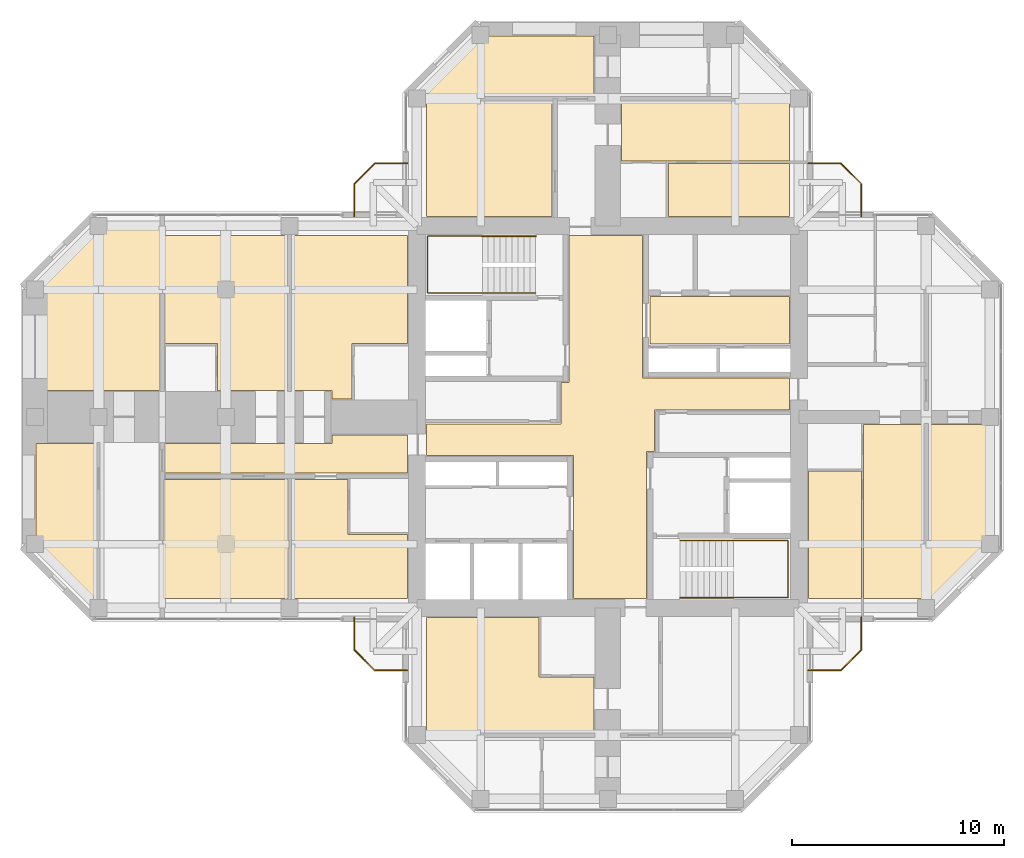
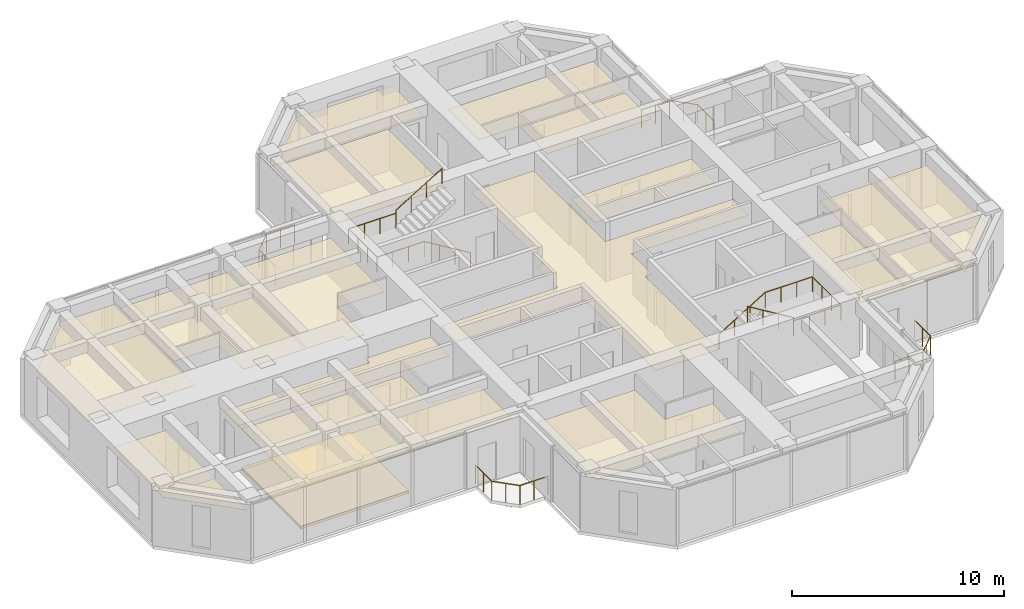
# One storey, part 13 of 13: 18 coverings, 8 railings.
"""IFC4 building model written with IfcOpenShell, lengths in metres."""

import ifcopenshell
import ifcopenshell.guid

model = None  # the IFC model being written
_history = None  # IfcOwnerHistory: only IFC2X3 demands one
_inside = {}  # id of a spatial element -> (the spatial element, [elements in it])
_under = {}  # id of a project, library or spatial element -> (it, [spatial elements below it])
_declared = {}  # id of a project -> (the project, [libraries it declares])
_typed = {}  # id of a type object -> (the type object, [elements of that type])
_made_of = {}  # id of a material, layer set ... -> (it, [elements and type objects made of it])


def new_model(schema):
    """Start an empty IFC model of exactly this schema.

    Asked for "IFC4X3", IfcOpenShell would pick the latest addendum, in which some entities
    have other attributes; the version numbers below select the first issue.
    IFC2X3 requires an IfcOwnerHistory on every rooted entity: one is made here for all.
    """
    global model, _history
    if schema == "IFC4X3":
        model = ifcopenshell.file(schema_version=(4, 3, 0, 0))
    else:
        model = ifcopenshell.file(schema=schema)
    _inside.clear()
    _under.clear()
    _declared.clear()
    _typed.clear()
    _made_of.clear()
    _history = None
    if model.schema == "IFC2X3":
        org = make("IfcOrganization", Name="unknown")
        user = make(
            "IfcPersonAndOrganization",
            ThePerson=make("IfcPerson", FamilyName="unknown"),
            TheOrganization=org,
        )
        app = make(
            "IfcApplication",
            ApplicationDeveloper=org,
            Version="unknown",
            ApplicationFullName="unknown",
            ApplicationIdentifier="unknown",
        )
        _history = make(
            "IfcOwnerHistory",
            OwningUser=user,
            OwningApplication=app,
            ChangeAction="ADDED",
            CreationDate=0,
        )
    return model


def make(cls, **values):
    """One entity of the class cls with the attributes given. An attribute that is None is left unset."""
    return model.create_entity(
        cls, **{name: value for name, value in values.items() if value is not None}
    )


def rooted(cls, **values):
    """An entity with a GlobalId (a new one), such as an element, a storey or a relation."""
    return make(cls, GlobalId=ifcopenshell.guid.new(), OwnerHistory=_history, **values)


def si_unit(unit_type, name, prefix=None):
    """IfcSIUnit, for example si_unit("LENGTHUNIT", "METRE", prefix="MILLI")."""
    return make("IfcSIUnit", UnitType=unit_type, Prefix=prefix, Name=name)


def assignment(units):
    """IfcUnitAssignment: the units of a project."""
    return None if units is None else make("IfcUnitAssignment", Units=units)


def point(xyz):
    """IfcCartesianPoint."""
    return None if xyz is None else make("IfcCartesianPoint", Coordinates=xyz)


def direction(xyz):
    """IfcDirection."""
    return None if xyz is None else make("IfcDirection", DirectionRatios=xyz)


def frame(location, z_axis=None, x_axis=None):
    """IfcAxis2Placement3D, a coordinate frame: its origin and axes. An axis left out is left unset."""
    return make(
        "IfcAxis2Placement3D",
        Location=point(location),
        Axis=direction(z_axis),
        RefDirection=direction(x_axis),
    )


def frame_2d(location, x_axis=None):
    """IfcAxis2Placement2D, a coordinate frame in the plane: its origin and x axis."""
    return make(
        "IfcAxis2Placement2D", Location=point(location), RefDirection=direction(x_axis)
    )


def origin():
    """The frame at (0, 0, 0) with its axes left unset."""
    return frame((0.0, 0.0, 0.0))


def origin_2d():
    """The frame at (0, 0) in the plane with its x axis left unset."""
    return frame_2d((0.0, 0.0))


def place(relative_to, where):
    """IfcLocalPlacement: puts the frame where relative to a parent placement (None: the world)."""
    return make(
        "IfcLocalPlacement", PlacementRelTo=relative_to, RelativePlacement=where
    )


def context(
    kind, dimensions, precision=None, world=None, true_north=None, identifier=None
):
    """IfcGeometricRepresentationContext, for example the 3D "Model" context."""
    return make(
        "IfcGeometricRepresentationContext",
        ContextIdentifier=identifier,
        ContextType=kind,
        CoordinateSpaceDimension=dimensions,
        Precision=precision,
        WorldCoordinateSystem=world,
        TrueNorth=true_north,
    )


def subcontext(parent, identifier, kind, view, scale=None):
    """IfcGeometricRepresentationSubContext, for example "Body" below "Model"."""
    return make(
        "IfcGeometricRepresentationSubContext",
        ContextIdentifier=identifier,
        ContextType=kind,
        ParentContext=parent,
        TargetScale=scale,
        TargetView=view,
    )


def project(units=None, contexts=None):
    """IfcProject with its units and contexts."""
    return rooted(
        "IfcProject",
        Name="project",
        RepresentationContexts=contexts,
        UnitsInContext=assignment(units),
    )


def spatial(cls, under=None, at=None, **own):
    """A site, building, storey or space (cls), placed at a placement, below another one or the project."""
    s = rooted(cls, ObjectPlacement=at, **own)
    if under is not None:
        _under.setdefault(under.id(), (under, []))[1].append(s)
    return s


def polyline(points):
    """IfcPolyline through the points."""
    return make("IfcPolyline", Points=[point(p) for p in points])


def profile(cls, at=None, kind="AREA", **sizes):
    """A parametric profile (cls). Its sizes go by their IFC names, for example OverallWidth=200.0."""
    return make(cls, ProfileType=kind, Position=at, **sizes)


def circle(**sizes):
    """IfcCircleProfileDef."""
    return profile("IfcCircleProfileDef", **sizes)


def outline(outer, holes=None, kind="AREA"):
    """IfcArbitraryClosedProfileDef: a profile drawn as a closed curve; with holes, ...WithVoids."""
    if holes is None:
        return make("IfcArbitraryClosedProfileDef", ProfileType=kind, OuterCurve=outer)
    return make(
        "IfcArbitraryProfileDefWithVoids",
        ProfileType=kind,
        OuterCurve=outer,
        InnerCurves=holes,
    )


def extrude(swept, where, along, depth):
    """IfcExtrudedAreaSolid: the profile swept, set in the frame where, extruded along a direction by depth."""
    return make(
        "IfcExtrudedAreaSolid",
        SweptArea=swept,
        Position=where,
        ExtrudedDirection=direction(along),
        Depth=depth,
    )


def shape(context_of_items, identifier, shape_type, items):
    """IfcShapeRepresentation: the items that make up one representation, for example the "Body"."""
    return make(
        "IfcShapeRepresentation",
        ContextOfItems=context_of_items,
        RepresentationIdentifier=identifier,
        RepresentationType=shape_type,
        Items=items,
    )


def material(Name=None, Category=None):
    """IfcMaterial."""
    return make("IfcMaterial", Name=Name, Category=Category)


def layer(
    of_material, thickness, ventilated=None, Name=None, Category=None, Priority=None
):
    """IfcMaterialLayer: one layer of a wall or slab, of a material (None: an air gap)."""
    return make(
        "IfcMaterialLayer",
        Material=of_material,
        LayerThickness=thickness,
        IsVentilated=ventilated,
        Name=Name,
        Category=Category,
        Priority=Priority,
    )


def layer_set(layers, Name=None):
    """IfcMaterialLayerSet."""
    return make("IfcMaterialLayerSet", MaterialLayers=layers, LayerSetName=Name)


def constituent(of_material, Name=None, Category=None, fraction=None):
    """IfcMaterialConstituent: one of the materials an element consists of."""
    return make(
        "IfcMaterialConstituent",
        Name=Name,
        Material=of_material,
        Fraction=fraction,
        Category=Category,
    )


def constituent_set(constituents=None, Name=None):
    """IfcMaterialConstituentSet."""
    return make(
        "IfcMaterialConstituentSet", Name=Name, MaterialConstituents=constituents
    )


def made_of(thing, what):
    """Note that an element or type object is made of a material, layer set ...; save() writes the relation."""
    if what is not None:
        _made_of.setdefault(what.id(), (what, []))[1].append(thing)
    return thing


def type_object(cls, material=None, **own):
    """A type object (cls), such as IfcWallType, which elements share."""
    return made_of(rooted(cls, **own), material)


def element(
    cls,
    number,
    at=None,
    inside=None,
    cuts=None,
    type_object=None,
    material=None,
    context=None,
    identifier="Body",
    shape_type=None,
    held_by="IfcProductDefinitionShape",
    body=None,
    shapes=None,
    **own,
):
    """One element of the class cls, such as IfcWall. Its Tag is "e" and its number.

    at: its placement. inside: the storey or other place that contains it. cuts: it is an
    opening in that element (IfcRelVoidsElement). A single representation is given by context,
    identifier, shape_type and body (its items); several are given by shapes. held_by: the class
    of the entity that holds the representations. save() writes the other relations.
    """
    e = rooted(cls, Tag="e%d" % number, ObjectPlacement=at, **own)
    if body is not None:
        shapes = [shape(context, identifier, shape_type, body)]
    if shapes is not None:
        e.Representation = make(held_by, Representations=shapes)
    if inside is not None:
        _inside.setdefault(inside.id(), (inside, []))[1].append(e)
    if cuts is not None:
        rooted(
            "IfcRelVoidsElement", RelatingBuildingElement=cuts, RelatedOpeningElement=e
        )
    if type_object is not None:
        _typed.setdefault(type_object.id(), (type_object, []))[1].append(e)
    return made_of(e, material)


def aggregate(whole, parts):
    """IfcRelAggregates: a whole, such as a stair, and the parts it consists of."""
    return rooted("IfcRelAggregates", RelatingObject=whole, RelatedObjects=parts)


def save(model, path):
    """Write the relations noted so far, then the file.

    IfcRelAggregates (storeys below a building ...), IfcRelContainedInSpatialStructure (elements
    in a storey), IfcRelDefinesByType, IfcRelAssociatesMaterial and IfcRelDeclares: one each for
    every whole, place, type object, material and project.
    """
    for whole, parts in _under.values():
        aggregate(whole, parts)
    for where, things in _inside.values():
        rooted(
            "IfcRelContainedInSpatialStructure",
            RelatedElements=things,
            RelatingStructure=where,
        )
    for kind, things in _typed.values():
        rooted("IfcRelDefinesByType", RelatedObjects=things, RelatingType=kind)
    for what, things in _made_of.values():
        rooted("IfcRelAssociatesMaterial", RelatedObjects=things, RelatingMaterial=what)
    for by, libraries in _declared.values():
        rooted("IfcRelDeclares", RelatingContext=by, RelatedDefinitions=libraries)
    model.write(path)


model = new_model("IFC4")

# Units and contexts
model_context = context("Model", 3, precision=1e-05, world=origin(), true_north=direction((0.0, 1.0)))
body_context = subcontext(model_context, "Body", "Model", "MODEL_VIEW")
ifc_project = project(units=[si_unit("LENGTHUNIT", "METRE"), si_unit("AREAUNIT", "SQUARE_METRE"), si_unit("VOLUMEUNIT", "CUBIC_METRE"), si_unit("PLANEANGLEUNIT", "RADIAN"), si_unit("MASSUNIT", "GRAM", prefix="KILO")], contexts=[model_context])

# Site, building, storey
site_placement = place(None, origin())
site = spatial("IfcSite", under=ifc_project, at=site_placement, CompositionType="ELEMENT")
building_placement = place(site_placement, origin())
building = spatial("IfcBuilding", under=site, at=building_placement, Name="Torre Cruceta", CompositionType="ELEMENT")
storey_placement = place(building_placement, frame((0.0, 0.0, 242.5)))
storey = spatial("IfcBuildingStorey", under=building, at=storey_placement, Name="L62", CompositionType="ELEMENT", Elevation=242.5)

# Railings
ifc_material_1 = material(Name="Stainless steel 1.4401", Category="steel")
ifc_constituent_1 = constituent(ifc_material_1, Name="Frame")
ifc_material_2 = material(Name="Laminated safety glass", Category="glass")
ifc_constituent_2 = constituent(ifc_material_2, Name="Infill")
ifc_constituent_set_1 = constituent_set(constituents=[ifc_constituent_1, ifc_constituent_2], Name="Stainless steel and laminated glass balustrade")
railing_type_1 = type_object("IfcRailingType", Name="BALCONY BALUSTRADE 1100", PredefinedType="BALUSTRADE", material=ifc_constituent_set_1)
railing_1_placement = place(storey_placement, frame((-9.449951171875, 11.949951171875, 0.0)))
element("IfcRailing", 1, at=railing_1_placement, inside=storey, type_object=railing_type_1, Name="BL1 balcony balustrade L62 N", PredefinedType="BALUSTRADE", context=body_context, shape_type="SweptSolid", body=[
    extrude(circle(Radius=0.02392578125, at=origin_2d()), frame((0.0, 0.0, 1.076171875), z_axis=(-1.0, 0.0, 0.0), x_axis=(0.0, -1.0, 0.0)), (0.0, 0.0, 1.0), 1.529296875),
    extrude(circle(Radius=0.02392578125, at=origin_2d()), frame((-1.529296875, 0.0, 1.076171875), z_axis=(-0.707106781187, -0.707106781187, 0.0), x_axis=(0.707106781187, -0.707106781187, 0.0)), (0.0, 0.0, 1.0), 1.372802734375),
    extrude(circle(Radius=0.02392578125, at=origin_2d()), frame((-2.5, -0.970703125, 1.076171875), z_axis=(0.0, -1.0, 0.0), x_axis=(1.0, 0.0, 0.0)), (0.0, 0.0, 1.0), 1.529296875),
    extrude(circle(Radius=0.02099609375, at=origin_2d()), origin(), (0.0, 0.0, 1.0), 1.052001953125),
    extrude(circle(Radius=0.02099609375, at=origin_2d()), frame((-0.7646484375, 0.0, 0.0)), (0.0, 0.0, 1.0), 1.052001953125),
    extrude(circle(Radius=0.02099609375, at=origin_2d()), frame((-1.529296875, 0.0, 0.0)), (0.0, 0.0, 1.0), 1.052001953125),
    extrude(circle(Radius=0.02099609375, at=origin_2d()), frame((-2.0146484375, -0.4853515625, 0.0)), (0.0, 0.0, 1.0), 1.052001953125),
    extrude(circle(Radius=0.02099609375, at=origin_2d()), frame((-2.5, -0.970703125, 0.0)), (0.0, 0.0, 1.0), 1.052001953125),
    extrude(circle(Radius=0.02099609375, at=origin_2d()), frame((-2.5, -1.7353515625, 0.0)), (0.0, 0.0, 1.0), 1.052001953125),
    extrude(circle(Radius=0.02099609375, at=origin_2d()), frame((-2.5, -2.5, 0.0)), (0.0, 0.0, 1.0), 1.052001953125),
])
railing_2_placement = place(storey_placement, frame((9.449951171875, 11.949951171875, 0.0)))
element("IfcRailing", 2, at=railing_2_placement, inside=storey, type_object=railing_type_1, Name="BL1 balcony balustrade L62 E", PredefinedType="BALUSTRADE", context=body_context, shape_type="SweptSolid", body=[
    extrude(circle(Radius=0.02392578125, at=origin_2d()), frame((0.0, 0.0, 1.076171875), z_axis=(1.0, 0.0, 0.0), x_axis=(0.0, 1.0, 0.0)), (0.0, 0.0, 1.0), 1.529296875),
    extrude(circle(Radius=0.02392578125, at=origin_2d()), frame((1.529296875, 0.0, 1.076171875), z_axis=(0.707106781187, -0.707106781187, 0.0), x_axis=(0.707106781187, 0.707106781187, 0.0)), (0.0, 0.0, 1.0), 1.372802734375),
    extrude(circle(Radius=0.02392578125, at=origin_2d()), frame((2.5, -0.970703125, 1.076171875), z_axis=(0.0, -1.0, 0.0), x_axis=(1.0, 0.0, 0.0)), (0.0, 0.0, 1.0), 1.529296875),
    extrude(circle(Radius=0.02099609375, at=origin_2d()), origin(), (0.0, 0.0, 1.0), 1.052001953125),
    extrude(circle(Radius=0.02099609375, at=origin_2d()), frame((0.7646484375, 0.0, 0.0)), (0.0, 0.0, 1.0), 1.052001953125),
    extrude(circle(Radius=0.02099609375, at=origin_2d()), frame((1.529296875, 0.0, 0.0)), (0.0, 0.0, 1.0), 1.052001953125),
    extrude(circle(Radius=0.02099609375, at=origin_2d()), frame((2.0146484375, -0.4853515625, 0.0)), (0.0, 0.0, 1.0), 1.052001953125),
    extrude(circle(Radius=0.02099609375, at=origin_2d()), frame((2.5, -0.970703125, 0.0)), (0.0, 0.0, 1.0), 1.052001953125),
    extrude(circle(Radius=0.02099609375, at=origin_2d()), frame((2.5, -1.7353515625, 0.0)), (0.0, 0.0, 1.0), 1.052001953125),
    extrude(circle(Radius=0.02099609375, at=origin_2d()), frame((2.5, -2.5, 0.0)), (0.0, 0.0, 1.0), 1.052001953125),
])
railing_3_placement = place(storey_placement, frame((9.449951171875, -11.949951171875, 0.0)))
element("IfcRailing", 3, at=railing_3_placement, inside=storey, type_object=railing_type_1, Name="BL1 balcony balustrade L62 S", PredefinedType="BALUSTRADE", context=body_context, shape_type="SweptSolid", body=[
    extrude(circle(Radius=0.02392578125, at=origin_2d()), frame((0.0, 0.0, 1.076171875), z_axis=(1.0, 0.0, 0.0), x_axis=(0.0, 1.0, 0.0)), (0.0, 0.0, 1.0), 1.529296875),
    extrude(circle(Radius=0.02392578125, at=origin_2d()), frame((1.529296875, 0.0, 1.076171875), z_axis=(0.707106781187, 0.707106781187, 0.0), x_axis=(-0.707106781187, 0.707106781187, 0.0)), (0.0, 0.0, 1.0), 1.372802734375),
    extrude(circle(Radius=0.02392578125, at=origin_2d()), frame((2.5, 0.970703125, 1.076171875), z_axis=(0.0, 1.0, 0.0), x_axis=(-1.0, 0.0, 0.0)), (0.0, 0.0, 1.0), 1.529296875),
    extrude(circle(Radius=0.02099609375, at=origin_2d()), origin(), (0.0, 0.0, 1.0), 1.052001953125),
    extrude(circle(Radius=0.02099609375, at=origin_2d()), frame((0.7646484375, 0.0, 0.0)), (0.0, 0.0, 1.0), 1.052001953125),
    extrude(circle(Radius=0.02099609375, at=origin_2d()), frame((1.529296875, 0.0, 0.0)), (0.0, 0.0, 1.0), 1.052001953125),
    extrude(circle(Radius=0.02099609375, at=origin_2d()), frame((2.0146484375, 0.4853515625, 0.0)), (0.0, 0.0, 1.0), 1.052001953125),
    extrude(circle(Radius=0.02099609375, at=origin_2d()), frame((2.5, 0.970703125, 0.0)), (0.0, 0.0, 1.0), 1.052001953125),
    extrude(circle(Radius=0.02099609375, at=origin_2d()), frame((2.5, 1.7353515625, 0.0)), (0.0, 0.0, 1.0), 1.052001953125),
    extrude(circle(Radius=0.02099609375, at=origin_2d()), frame((2.5, 2.5, 0.0)), (0.0, 0.0, 1.0), 1.052001953125),
])
railing_4_placement = place(storey_placement, frame((-9.449951171875, -11.949951171875, 0.0)))
element("IfcRailing", 4, at=railing_4_placement, inside=storey, type_object=railing_type_1, Name="BL1 balcony balustrade L62 W", PredefinedType="BALUSTRADE", context=body_context, shape_type="SweptSolid", body=[
    extrude(circle(Radius=0.02392578125, at=origin_2d()), frame((0.0, 0.0, 1.076171875), z_axis=(-1.0, 0.0, 0.0), x_axis=(0.0, -1.0, 0.0)), (0.0, 0.0, 1.0), 1.529296875),
    extrude(circle(Radius=0.02392578125, at=origin_2d()), frame((-1.529296875, 0.0, 1.076171875), z_axis=(-0.707106781187, 0.707106781187, 0.0), x_axis=(-0.707106781187, -0.707106781187, 0.0)), (0.0, 0.0, 1.0), 1.372802734375),
    extrude(circle(Radius=0.02392578125, at=origin_2d()), frame((-2.5, 0.970703125, 1.076171875), z_axis=(0.0, 1.0, 0.0), x_axis=(-1.0, 0.0, 0.0)), (0.0, 0.0, 1.0), 1.529296875),
    extrude(circle(Radius=0.02099609375, at=origin_2d()), origin(), (0.0, 0.0, 1.0), 1.052001953125),
    extrude(circle(Radius=0.02099609375, at=origin_2d()), frame((-0.7646484375, 0.0, 0.0)), (0.0, 0.0, 1.0), 1.052001953125),
    extrude(circle(Radius=0.02099609375, at=origin_2d()), frame((-1.529296875, 0.0, 0.0)), (0.0, 0.0, 1.0), 1.052001953125),
    extrude(circle(Radius=0.02099609375, at=origin_2d()), frame((-2.0146484375, 0.4853515625, 0.0)), (0.0, 0.0, 1.0), 1.052001953125),
    extrude(circle(Radius=0.02099609375, at=origin_2d()), frame((-2.5, 0.970703125, 0.0)), (0.0, 0.0, 1.0), 1.052001953125),
    extrude(circle(Radius=0.02099609375, at=origin_2d()), frame((-2.5, 1.7353515625, 0.0)), (0.0, 0.0, 1.0), 1.052001953125),
    extrude(circle(Radius=0.02099609375, at=origin_2d()), frame((-2.5, 2.5, 0.0)), (0.0, 0.0, 1.0), 1.052001953125),
])
ifc_material_3 = material(Name="Stainless steel 1.4401", Category="steel")
railing_type_2 = type_object("IfcRailingType", Name="HANDRAIL 900", PredefinedType="HANDRAIL", material=ifc_material_3)
railing_5_placement = place(storey_placement, frame((-3.39990234375, 5.8349609375, 0.169921875)))
element("IfcRailing", 5, at=railing_5_placement, inside=storey, type_object=railing_type_2, Name="Handrail HR1 ST1 L62", PredefinedType="HANDRAIL", context=body_context, shape_type="SweptSolid", body=[
    extrude(circle(Radius=0.02392578125, at=origin_2d()), frame((0.0, 0.0, 0.8759765625), z_axis=(-0.85478489116, 0.0, 0.518982456201), x_axis=(0.0, -1.0, 0.0)), (0.0, 0.0, 1.0), 2.9482421875),
    extrude(circle(Radius=0.02392578125, at=origin_2d()), frame((-2.52001953125, 0.0, 2.40576171875), z_axis=(-1.0, 0.0, 0.0), x_axis=(0.0, -1.0, 0.0)), (0.0, 0.0, 1.0), 2.570068359375),
    extrude(circle(Radius=0.02392578125, at=origin_2d()), frame((-5.090087890625, 0.0, 2.40576171875), z_axis=(0.0, 1.0, 0.0), x_axis=(-1.0, 0.0, 0.0)), (0.0, 0.0, 1.0), 2.679931640625),
    extrude(circle(Radius=0.02392578125, at=origin_2d()), frame((-5.090087890625, 2.679931640625, 2.40576171875), z_axis=(1.0, 0.0, 0.0), x_axis=(0.0, 1.0, 0.0)), (0.0, 0.0, 1.0), 2.570068359375),
    extrude(circle(Radius=0.02099609375, at=origin_2d()), origin(), (0.0, 0.0, 1.0), 0.851806640625),
    extrude(circle(Radius=0.02099609375, at=origin_2d()), frame((-0.840087890625, 0.0, 0.510009765625)), (0.0, 0.0, 1.0), 0.851806640625),
    extrude(circle(Radius=0.02099609375, at=origin_2d()), frame((-1.679931640625, 0.0, 1.02001953125)), (0.0, 0.0, 1.0), 0.851806640625),
    extrude(circle(Radius=0.02099609375, at=origin_2d()), frame((-2.52001953125, 0.0, 1.530029296875)), (0.0, 0.0, 1.0), 0.851806640625),
    extrude(circle(Radius=0.02099609375, at=origin_2d()), frame((-3.376708984375, 0.0, 1.530029296875)), (0.0, 0.0, 1.0), 0.851806640625),
    extrude(circle(Radius=0.02099609375, at=origin_2d()), frame((-4.2333984375, 0.0, 1.530029296875)), (0.0, 0.0, 1.0), 0.851806640625),
    extrude(circle(Radius=0.02099609375, at=origin_2d()), frame((-5.090087890625, 0.0, 1.530029296875)), (0.0, 0.0, 1.0), 0.851806640625),
    extrude(circle(Radius=0.02099609375, at=origin_2d()), frame((-5.090087890625, 0.893310546875, 1.530029296875)), (0.0, 0.0, 1.0), 0.851806640625),
    extrude(circle(Radius=0.02099609375, at=origin_2d()), frame((-5.090087890625, 1.78662109375, 1.530029296875)), (0.0, 0.0, 1.0), 0.851806640625),
    extrude(circle(Radius=0.02099609375, at=origin_2d()), frame((-5.090087890625, 2.679931640625, 1.530029296875)), (0.0, 0.0, 1.0), 0.851806640625),
    extrude(circle(Radius=0.02099609375, at=origin_2d()), frame((-4.2333984375, 2.679931640625, 1.530029296875)), (0.0, 0.0, 1.0), 0.851806640625),
    extrude(circle(Radius=0.02099609375, at=origin_2d()), frame((-3.376708984375, 2.679931640625, 1.530029296875)), (0.0, 0.0, 1.0), 0.851806640625),
    extrude(circle(Radius=0.02099609375, at=origin_2d()), frame((-2.52001953125, 2.679931640625, 1.530029296875)), (0.0, 0.0, 1.0), 0.851806640625),
])
railing_6_placement = place(storey_placement, frame((-5.919921875, 8.514892578125, 1.8701171875)))
element("IfcRailing", 6, at=railing_6_placement, inside=storey, type_object=railing_type_2, Name="Handrail HR1 ST1 L62", PredefinedType="HANDRAIL", context=body_context, shape_type="SweptSolid", body=[
    extrude(circle(Radius=0.02392578125, at=origin_2d()), frame((0.0, 0.0, 0.8759765625), z_axis=(0.854821627497, 0.0, 0.518921945155), x_axis=(0.0, 1.0, 0.0)), (0.0, 0.0, 1.0), 2.947998046875),
    extrude(circle(Radius=0.02099609375, at=origin_2d()), origin(), (0.0, 0.0, 1.0), 0.851806640625),
    extrude(circle(Radius=0.02099609375, at=origin_2d()), frame((0.840087890625, 0.0, 0.510009765625)), (0.0, 0.0, 1.0), 0.851806640625),
    extrude(circle(Radius=0.02099609375, at=origin_2d()), frame((1.679931640625, 0.0, 1.019775390625)), (0.0, 0.0, 1.0), 0.851806640625),
    extrude(circle(Radius=0.02099609375, at=origin_2d()), frame((2.52001953125, 0.0, 1.52978515625)), (0.0, 0.0, 1.0), 0.851806640625),
])
railing_7_placement = place(storey_placement, frame((3.39990234375, -5.8349609375, 0.169921875)))
element("IfcRailing", 7, at=railing_7_placement, inside=storey, type_object=railing_type_2, Name="Handrail HR1 ST2 L62", PredefinedType="HANDRAIL", context=body_context, shape_type="SweptSolid", body=[
    extrude(circle(Radius=0.02392578125, at=origin_2d()), frame((0.0, 0.0, 0.8759765625), z_axis=(0.85478489116, 0.0, 0.518982456201), x_axis=(0.0, 1.0, 0.0)), (0.0, 0.0, 1.0), 2.9482421875),
    extrude(circle(Radius=0.02392578125, at=origin_2d()), frame((2.52001953125, 0.0, 2.40576171875), z_axis=(1.0, 0.0, 0.0), x_axis=(0.0, 1.0, 0.0)), (0.0, 0.0, 1.0), 2.570068359375),
    extrude(circle(Radius=0.02392578125, at=origin_2d()), frame((5.090087890625, 0.0, 2.40576171875), z_axis=(0.0, -1.0, 0.0), x_axis=(1.0, 0.0, 0.0)), (0.0, 0.0, 1.0), 2.679931640625),
    extrude(circle(Radius=0.02392578125, at=origin_2d()), frame((5.090087890625, -2.679931640625, 2.40576171875), z_axis=(-1.0, 0.0, 0.0), x_axis=(0.0, -1.0, 0.0)), (0.0, 0.0, 1.0), 2.570068359375),
    extrude(circle(Radius=0.02099609375, at=origin_2d()), origin(), (0.0, 0.0, 1.0), 0.851806640625),
    extrude(circle(Radius=0.02099609375, at=origin_2d()), frame((0.840087890625, 0.0, 0.510009765625)), (0.0, 0.0, 1.0), 0.851806640625),
    extrude(circle(Radius=0.02099609375, at=origin_2d()), frame((1.679931640625, 0.0, 1.02001953125)), (0.0, 0.0, 1.0), 0.851806640625),
    extrude(circle(Radius=0.02099609375, at=origin_2d()), frame((2.52001953125, 0.0, 1.530029296875)), (0.0, 0.0, 1.0), 0.851806640625),
    extrude(circle(Radius=0.02099609375, at=origin_2d()), frame((3.376708984375, 0.0, 1.530029296875)), (0.0, 0.0, 1.0), 0.851806640625),
    extrude(circle(Radius=0.02099609375, at=origin_2d()), frame((4.2333984375, 0.0, 1.530029296875)), (0.0, 0.0, 1.0), 0.851806640625),
    extrude(circle(Radius=0.02099609375, at=origin_2d()), frame((5.090087890625, 0.0, 1.530029296875)), (0.0, 0.0, 1.0), 0.851806640625),
    extrude(circle(Radius=0.02099609375, at=origin_2d()), frame((5.090087890625, -0.893310546875, 1.530029296875)), (0.0, 0.0, 1.0), 0.851806640625),
    extrude(circle(Radius=0.02099609375, at=origin_2d()), frame((5.090087890625, -1.78662109375, 1.530029296875)), (0.0, 0.0, 1.0), 0.851806640625),
    extrude(circle(Radius=0.02099609375, at=origin_2d()), frame((5.090087890625, -2.679931640625, 1.530029296875)), (0.0, 0.0, 1.0), 0.851806640625),
    extrude(circle(Radius=0.02099609375, at=origin_2d()), frame((4.2333984375, -2.679931640625, 1.530029296875)), (0.0, 0.0, 1.0), 0.851806640625),
    extrude(circle(Radius=0.02099609375, at=origin_2d()), frame((3.376708984375, -2.679931640625, 1.530029296875)), (0.0, 0.0, 1.0), 0.851806640625),
    extrude(circle(Radius=0.02099609375, at=origin_2d()), frame((2.52001953125, -2.679931640625, 1.530029296875)), (0.0, 0.0, 1.0), 0.851806640625),
])
railing_8_placement = place(storey_placement, frame((5.919921875, -8.514892578125, 1.8701171875)))
element("IfcRailing", 8, at=railing_8_placement, inside=storey, type_object=railing_type_2, Name="Handrail HR1 ST2 L62", PredefinedType="HANDRAIL", context=body_context, shape_type="SweptSolid", body=[
    extrude(circle(Radius=0.02392578125, at=origin_2d()), frame((0.0, 0.0, 0.8759765625), z_axis=(-0.854821627497, 0.0, 0.518921945155), x_axis=(0.0, -1.0, 0.0)), (0.0, 0.0, 1.0), 2.947998046875),
    extrude(circle(Radius=0.02099609375, at=origin_2d()), origin(), (0.0, 0.0, 1.0), 0.851806640625),
    extrude(circle(Radius=0.02099609375, at=origin_2d()), frame((-0.840087890625, 0.0, 0.510009765625)), (0.0, 0.0, 1.0), 0.851806640625),
    extrude(circle(Radius=0.02099609375, at=origin_2d()), frame((-1.679931640625, 0.0, 1.019775390625)), (0.0, 0.0, 1.0), 0.851806640625),
    extrude(circle(Radius=0.02099609375, at=origin_2d()), frame((-2.52001953125, 0.0, 1.52978515625)), (0.0, 0.0, 1.0), 0.851806640625),
])

# Coverings
ifc_material_4 = material(Name="Steel DX51D", Category="steel")
ifc_constituent_3 = constituent(ifc_material_4, Name="Panel casing")
ifc_material_5 = material(Name="Calcium sulphate", Category="gypsum")
ifc_constituent_4 = constituent(ifc_material_5, Name="Panel core")
ifc_constituent_set_2 = constituent_set(constituents=[ifc_constituent_3, ifc_constituent_4], Name="Raised access floor panel")
covering_type_1 = type_object("IfcCoveringType", Name="RAISED ACCESS FLOOR 150", PredefinedType="FLOORING", material=ifc_constituent_set_2)
covering_1_placement = place(storey_placement, origin())
element("IfcCovering", 9, at=covering_1_placement, inside=storey, type_object=covering_type_1, Name="Raised floor L62-052", PredefinedType="FLOORING", context=body_context, shape_type="SweptSolid", body=[
    extrude(outline(polyline([(-15.050048828125, -2.949951171875), (-15.050048828125, -8.550048828125), (-20.949951171875, -8.550048828125), (-20.949951171875, -2.949951171875), (-15.050048828125, -2.949951171875)])), origin(), (0.0, 0.0, 1.0), 0.14990234375),
])
ifc_material_6 = material(Name="Mineral fibre ceiling tile", Category="gypsum")
ifc_layer = layer(ifc_material_6, 0.02001953125)
ifc_layer_set = layer_set([ifc_layer], Name="Mineral fibre ceiling tile")
covering_type_2 = type_object("IfcCoveringType", Name="SUSPENDED CEILING 20", PredefinedType="CEILING", material=ifc_layer_set)
covering_2_placement = place(storey_placement, frame((0.0, 0.0, 2.35009765625)))
element("IfcCovering", 10, at=covering_2_placement, inside=storey, type_object=covering_type_2, Name="Ceiling L62-003", PredefinedType="CEILING", context=body_context, shape_type="SweptSolid", body=[
    extrude(outline(polyline([(1.824951171875, -8.550048828125), (-1.625, -8.550048828125), (-1.625, -1.824951171875), (-8.550048828125, -1.824951171875), (-8.550048828125, -0.324951171875), (-2.199951171875, -0.324951171875), (-2.199951171875, 1.625), (-1.824951171875, 1.625), (-1.824951171875, 8.550048828125), (1.625, 8.550048828125), (1.625, 1.824951171875), (8.550048828125, 1.824951171875), (8.550048828125, 0.324951171875), (2.199951171875, 0.324951171875), (2.199951171875, -1.625), (1.824951171875, -1.625), (1.824951171875, -8.550048828125)])), origin(), (0.0, 0.0, 1.0), 0.02001953125),
])
covering_3_placement = place(storey_placement, frame((0.0, 0.0, 2.35009765625)))
element("IfcCovering", 11, at=covering_3_placement, inside=storey, type_object=covering_type_2, Name="Ceiling L62-006", PredefinedType="CEILING", context=body_context, shape_type="SweptSolid", body=[
    extrude(outline(polyline([(1.97509765625, 3.425048828125), (1.97509765625, 5.675048828125), (8.550048828125, 5.675048828125), (8.550048828125, 3.425048828125), (1.97509765625, 3.425048828125)])), origin(), (0.0, 0.0, 1.0), 0.02001953125),
])
covering_4_placement = place(storey_placement, frame((0.0, 0.0, 2.35009765625)))
element("IfcCovering", 12, at=covering_4_placement, inside=storey, type_object=covering_type_2, Name="Ceiling L62-024", PredefinedType="CEILING", context=body_context, shape_type="SweptSolid", body=[
    extrude(outline(polyline([(-2.625, 9.449951171875), (-8.550048828125, 9.449951171875), (-8.550048828125, 14.949951171875), (-2.625, 14.949951171875), (-2.625, 9.449951171875)])), origin(), (0.0, 0.0, 1.0), 0.02001953125),
])
covering_5_placement = place(storey_placement, frame((0.0, 0.0, 2.35009765625)))
element("IfcCovering", 13, at=covering_5_placement, inside=storey, type_object=covering_type_2, Name="Ceiling L62-025", PredefinedType="CEILING", context=body_context, shape_type="SweptSolid", body=[
    extrude(outline(polyline([(8.550048828125, 14.949951171875), (8.550048828125, 12.050048828125), (0.64990234375, 12.050048828125), (0.64990234375, 14.949951171875), (8.550048828125, 14.949951171875)])), origin(), (0.0, 0.0, 1.0), 0.02001953125),
])
covering_6_placement = place(storey_placement, frame((0.0, 0.0, 2.35009765625)))
element("IfcCovering", 14, at=covering_6_placement, inside=storey, type_object=covering_type_2, Name="Ceiling L62-026", PredefinedType="CEILING", context=body_context, shape_type="SweptSolid", body=[
    extrude(outline(polyline([(8.550048828125, 9.449951171875), (2.85009765625, 9.449951171875), (2.85009765625, 11.949951171875), (8.550048828125, 11.949951171875), (8.550048828125, 9.449951171875)])), origin(), (0.0, 0.0, 1.0), 0.02001953125),
])
covering_7_placement = place(storey_placement, frame((0.0, 0.0, 2.35009765625)))
element("IfcCovering", 15, at=covering_7_placement, inside=storey, type_object=covering_type_2, Name="Ceiling L62-028", PredefinedType="CEILING", context=body_context, shape_type="SweptSolid", body=[
    extrude(outline(polyline([(-5.979248046875, 17.949951171875), (-0.64990234375, 17.949951171875), (-0.64990234375, 15.050048828125), (-8.87939453125, 15.050048828125), (-5.979248046875, 17.949951171875)])), origin(), (0.0, 0.0, 1.0), 0.02001953125),
])
covering_8_placement = place(storey_placement, frame((0.0, 0.0, 2.35009765625)))
element("IfcCovering", 16, at=covering_8_placement, inside=storey, type_object=covering_type_2, Name="Ceiling L62-035", PredefinedType="CEILING", context=body_context, shape_type="SweptSolid", body=[
    extrude(outline(polyline([(14.949951171875, -8.550048828125), (12.050048828125, -8.550048828125), (12.050048828125, -0.35009765625), (14.949951171875, -0.35009765625), (14.949951171875, -8.550048828125)])), origin(), (0.0, 0.0, 1.0), 0.02001953125),
])
covering_9_placement = place(storey_placement, frame((0.0, 0.0, 2.35009765625)))
element("IfcCovering", 17, at=covering_9_placement, inside=storey, type_object=covering_type_2, Name="Ceiling L62-036", PredefinedType="CEILING", context=body_context, shape_type="SweptSolid", body=[
    extrude(outline(polyline([(9.449951171875, -8.550048828125), (9.449951171875, -2.550048828125), (11.949951171875, -2.550048828125), (11.949951171875, -8.550048828125), (9.449951171875, -8.550048828125)])), origin(), (0.0, 0.0, 1.0), 0.02001953125),
])
covering_10_placement = place(storey_placement, frame((0.0, 0.0, 2.35009765625)))
element("IfcCovering", 18, at=covering_10_placement, inside=storey, type_object=covering_type_2, Name="Ceiling L62-039", PredefinedType="CEILING", context=body_context, shape_type="SweptSolid", body=[
    extrude(outline(polyline([(15.050048828125, -8.87939453125), (15.050048828125, -0.35009765625), (17.949951171875, -0.35009765625), (17.949951171875, -5.979248046875), (15.050048828125, -8.87939453125)])), origin(), (0.0, 0.0, 1.0), 0.02001953125),
])
covering_11_placement = place(storey_placement, frame((0.0, 0.0, 2.35009765625)))
element("IfcCovering", 19, at=covering_11_placement, inside=storey, type_object=covering_type_2, Name="Ceiling L62-042", PredefinedType="CEILING", context=body_context, shape_type="SweptSolid", body=[
    extrude(outline(polyline([(-0.64990234375, -14.949951171875), (-8.550048828125, -14.949951171875), (-8.550048828125, -9.449951171875), (-3.25, -9.449951171875), (-3.25, -12.25), (-0.64990234375, -12.25), (-0.64990234375, -14.949951171875)])), origin(), (0.0, 0.0, 1.0), 0.02001953125),
])
covering_12_placement = place(storey_placement, frame((0.0, 0.0, 2.35009765625)))
element("IfcCovering", 20, at=covering_12_placement, inside=storey, type_object=covering_type_2, Name="Ceiling L62-047", PredefinedType="CEILING", context=body_context, shape_type="SweptSolid", body=[
    extrude(outline(polyline([(-9.449951171875, -0.85009765625), (-9.449951171875, -2.64990234375), (-20.949951171875, -2.64990234375), (-20.949951171875, -1.25), (-13.0, -1.25), (-13.0, -0.85009765625), (-9.449951171875, -0.85009765625)])), origin(), (0.0, 0.0, 1.0), 0.02001953125),
])
covering_13_placement = place(storey_placement, frame((0.0, 0.0, 2.35009765625)))
element("IfcCovering", 21, at=covering_13_placement, inside=storey, type_object=covering_type_2, Name="Ceiling L62-048", PredefinedType="CEILING", context=body_context, shape_type="SweptSolid", body=[
    extrude(outline(polyline([(-9.449951171875, -8.550048828125), (-14.949951171875, -8.550048828125), (-14.949951171875, -2.949951171875), (-12.25, -2.949951171875), (-12.25, -5.550048828125), (-9.449951171875, -5.550048828125), (-9.449951171875, -8.550048828125)])), origin(), (0.0, 0.0, 1.0), 0.02001953125),
])
covering_14_placement = place(storey_placement, frame((0.0, 0.0, 2.35009765625)))
element("IfcCovering", 22, at=covering_14_placement, inside=storey, type_object=covering_type_2, Name="Ceiling L62-050", PredefinedType="CEILING", context=body_context, shape_type="SweptSolid", body=[
    extrude(outline(polyline([(-14.949951171875, 8.550048828125), (-9.449951171875, 8.550048828125), (-9.449951171875, 3.449951171875), (-12.050048828125, 3.449951171875), (-12.050048828125, 0.85009765625), (-13.0, 0.85009765625), (-13.0, 1.25), (-14.949951171875, 1.25), (-14.949951171875, 8.550048828125)])), origin(), (0.0, 0.0, 1.0), 0.02001953125),
])
covering_15_placement = place(storey_placement, frame((0.0, 0.0, 2.35009765625)))
element("IfcCovering", 23, at=covering_15_placement, inside=storey, type_object=covering_type_2, Name="Ceiling L62-052", PredefinedType="CEILING", context=body_context, shape_type="SweptSolid", body=[
    extrude(outline(polyline([(-15.050048828125, -2.949951171875), (-15.050048828125, -8.550048828125), (-20.949951171875, -8.550048828125), (-20.949951171875, -2.949951171875), (-15.050048828125, -2.949951171875)])), origin(), (0.0, 0.0, 1.0), 0.02001953125),
])
covering_16_placement = place(storey_placement, frame((0.0, 0.0, 2.35009765625)))
element("IfcCovering", 24, at=covering_16_placement, inside=storey, type_object=covering_type_2, Name="Ceiling L62-053", PredefinedType="CEILING", context=body_context, shape_type="SweptSolid", body=[
    extrude(outline(polyline([(-15.050048828125, 8.550048828125), (-15.050048828125, 1.25), (-18.39990234375, 1.25), (-18.39990234375, 3.449951171875), (-20.949951171875, 3.449951171875), (-20.949951171875, 8.550048828125), (-15.050048828125, 8.550048828125)])), origin(), (0.0, 0.0, 1.0), 0.02001953125),
])
covering_17_placement = place(storey_placement, frame((0.0, 0.0, 2.35009765625)))
element("IfcCovering", 25, at=covering_17_placement, inside=storey, type_object=covering_type_2, Name="Ceiling L62-056", PredefinedType="CEILING", context=body_context, shape_type="SweptSolid", body=[
    extrude(outline(polyline([(-26.949951171875, -1.25), (-24.050048828125, -1.25), (-24.050048828125, -8.87939453125), (-26.949951171875, -5.979248046875), (-26.949951171875, -1.25)])), origin(), (0.0, 0.0, 1.0), 0.02001953125),
])
covering_18_placement = place(storey_placement, frame((0.0, 0.0, 2.35009765625)))
element("IfcCovering", 26, at=covering_18_placement, inside=storey, type_object=covering_type_2, Name="Ceiling L62-057", PredefinedType="CEILING", context=body_context, shape_type="SweptSolid", body=[
    extrude(outline(polyline([(-23.979248046875, 8.949951171875), (-21.050048828125, 8.949951171875), (-21.050048828125, 1.25), (-26.949951171875, 1.25), (-26.949951171875, 5.979248046875), (-23.979248046875, 8.949951171875)])), origin(), (0.0, 0.0, 1.0), 0.02001953125),
])

save(model, "model.ifc")
